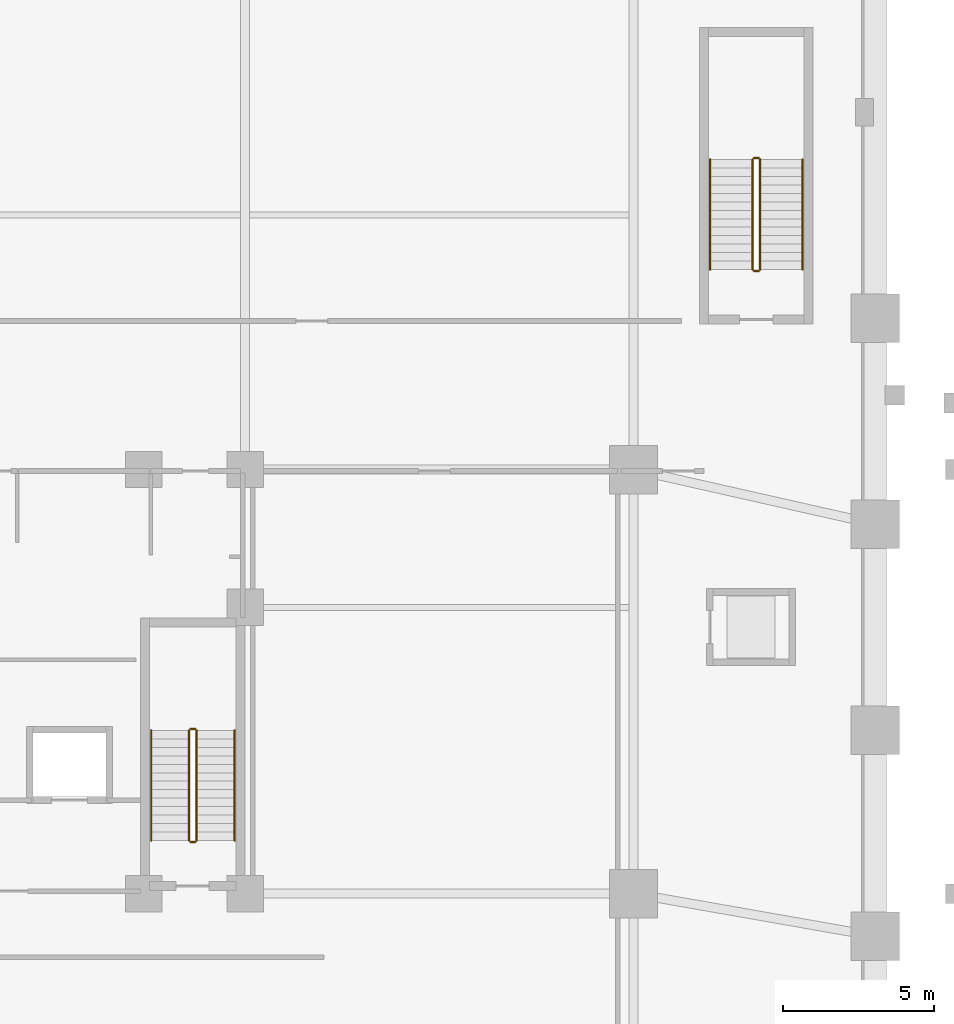
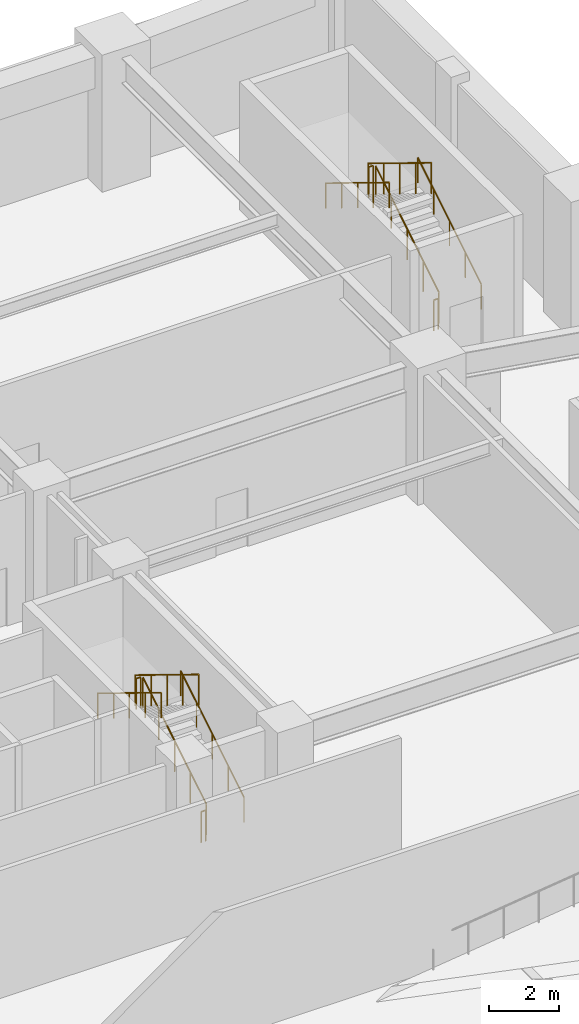
# One storey, part 7 of 8: 12 railings.
"""IFC4 building model written with IfcOpenShell, lengths in metres."""

import ifcopenshell
import ifcopenshell.guid

model = None  # the IFC model being written
_history = None  # IfcOwnerHistory: only IFC2X3 demands one
_inside = {}  # id of a spatial element -> (the spatial element, [elements in it])
_under = {}  # id of a project, library or spatial element -> (it, [spatial elements below it])
_declared = {}  # id of a project -> (the project, [libraries it declares])
_typed = {}  # id of a type object -> (the type object, [elements of that type])
_made_of = {}  # id of a material, layer set ... -> (it, [elements and type objects made of it])


def new_model(schema):
    """Start an empty IFC model of exactly this schema.

    Asked for "IFC4X3", IfcOpenShell would pick the latest addendum, in which some entities
    have other attributes; the version numbers below select the first issue.
    IFC2X3 requires an IfcOwnerHistory on every rooted entity: one is made here for all.
    """
    global model, _history
    if schema == "IFC4X3":
        model = ifcopenshell.file(schema_version=(4, 3, 0, 0))
    else:
        model = ifcopenshell.file(schema=schema)
    _inside.clear()
    _under.clear()
    _declared.clear()
    _typed.clear()
    _made_of.clear()
    _history = None
    if model.schema == "IFC2X3":
        org = make("IfcOrganization", Name="unknown")
        user = make(
            "IfcPersonAndOrganization",
            ThePerson=make("IfcPerson", FamilyName="unknown"),
            TheOrganization=org,
        )
        app = make(
            "IfcApplication",
            ApplicationDeveloper=org,
            Version="unknown",
            ApplicationFullName="unknown",
            ApplicationIdentifier="unknown",
        )
        _history = make(
            "IfcOwnerHistory",
            OwningUser=user,
            OwningApplication=app,
            ChangeAction="ADDED",
            CreationDate=0,
        )
    return model


def make(cls, **values):
    """One entity of the class cls with the attributes given. An attribute that is None is left unset."""
    return model.create_entity(
        cls, **{name: value for name, value in values.items() if value is not None}
    )


def rooted(cls, **values):
    """An entity with a GlobalId (a new one), such as an element, a storey or a relation."""
    return make(cls, GlobalId=ifcopenshell.guid.new(), OwnerHistory=_history, **values)


def si_unit(unit_type, name, prefix=None):
    """IfcSIUnit, for example si_unit("LENGTHUNIT", "METRE", prefix="MILLI")."""
    return make("IfcSIUnit", UnitType=unit_type, Prefix=prefix, Name=name)


def derived_unit(unit_type, elements):
    """IfcDerivedUnit: a product of units, each with its exponent."""
    return make(
        "IfcDerivedUnit",
        Elements=[
            make("IfcDerivedUnitElement", Unit=unit, Exponent=power)
            for unit, power in elements
        ],
        UnitType=unit_type,
    )


def assignment(units):
    """IfcUnitAssignment: the units of a project."""
    return None if units is None else make("IfcUnitAssignment", Units=units)


def point(xyz):
    """IfcCartesianPoint."""
    return None if xyz is None else make("IfcCartesianPoint", Coordinates=xyz)


def direction(xyz):
    """IfcDirection."""
    return None if xyz is None else make("IfcDirection", DirectionRatios=xyz)


def frame(location, z_axis=None, x_axis=None):
    """IfcAxis2Placement3D, a coordinate frame: its origin and axes. An axis left out is left unset."""
    return make(
        "IfcAxis2Placement3D",
        Location=point(location),
        Axis=direction(z_axis),
        RefDirection=direction(x_axis),
    )


def frame_2d(location, x_axis=None):
    """IfcAxis2Placement2D, a coordinate frame in the plane: its origin and x axis."""
    return make(
        "IfcAxis2Placement2D", Location=point(location), RefDirection=direction(x_axis)
    )


def origin():
    """The frame at (0, 0, 0) with its axes left unset."""
    return frame((0.0, 0.0, 0.0))


def origin_2d():
    """The frame at (0, 0) in the plane with its x axis left unset."""
    return frame_2d((0.0, 0.0))


def place(relative_to, where):
    """IfcLocalPlacement: puts the frame where relative to a parent placement (None: the world)."""
    return make(
        "IfcLocalPlacement", PlacementRelTo=relative_to, RelativePlacement=where
    )


def context(
    kind, dimensions, precision=None, world=None, true_north=None, identifier=None
):
    """IfcGeometricRepresentationContext, for example the 3D "Model" context."""
    return make(
        "IfcGeometricRepresentationContext",
        ContextIdentifier=identifier,
        ContextType=kind,
        CoordinateSpaceDimension=dimensions,
        Precision=precision,
        WorldCoordinateSystem=world,
        TrueNorth=true_north,
    )


def subcontext(parent, identifier, kind, view, scale=None):
    """IfcGeometricRepresentationSubContext, for example "Body" below "Model"."""
    return make(
        "IfcGeometricRepresentationSubContext",
        ContextIdentifier=identifier,
        ContextType=kind,
        ParentContext=parent,
        TargetScale=scale,
        TargetView=view,
    )


def project(units=None, contexts=None):
    """IfcProject with its units and contexts."""
    return rooted(
        "IfcProject",
        Name="project",
        RepresentationContexts=contexts,
        UnitsInContext=assignment(units),
    )


def spatial(cls, under=None, at=None, **own):
    """A site, building, storey or space (cls), placed at a placement, below another one or the project."""
    s = rooted(cls, ObjectPlacement=at, **own)
    if under is not None:
        _under.setdefault(under.id(), (under, []))[1].append(s)
    return s


def profile(cls, at=None, kind="AREA", **sizes):
    """A parametric profile (cls). Its sizes go by their IFC names, for example OverallWidth=200.0."""
    return make(cls, ProfileType=kind, Position=at, **sizes)


def circle(**sizes):
    """IfcCircleProfileDef."""
    return profile("IfcCircleProfileDef", **sizes)


def extrude(swept, where, along, depth):
    """IfcExtrudedAreaSolid: the profile swept, set in the frame where, extruded along a direction by depth."""
    return make(
        "IfcExtrudedAreaSolid",
        SweptArea=swept,
        Position=where,
        ExtrudedDirection=direction(along),
        Depth=depth,
    )


def shape(context_of_items, identifier, shape_type, items):
    """IfcShapeRepresentation: the items that make up one representation, for example the "Body"."""
    return make(
        "IfcShapeRepresentation",
        ContextOfItems=context_of_items,
        RepresentationIdentifier=identifier,
        RepresentationType=shape_type,
        Items=items,
    )


def material(Name=None, Category=None):
    """IfcMaterial."""
    return make("IfcMaterial", Name=Name, Category=Category)


def made_of(thing, what):
    """Note that an element or type object is made of a material, layer set ...; save() writes the relation."""
    if what is not None:
        _made_of.setdefault(what.id(), (what, []))[1].append(thing)
    return thing


def type_object(cls, material=None, **own):
    """A type object (cls), such as IfcWallType, which elements share."""
    return made_of(rooted(cls, **own), material)


def element(
    cls,
    number,
    at=None,
    inside=None,
    cuts=None,
    type_object=None,
    material=None,
    context=None,
    identifier="Body",
    shape_type=None,
    held_by="IfcProductDefinitionShape",
    body=None,
    shapes=None,
    **own,
):
    """One element of the class cls, such as IfcWall. Its Tag is "e" and its number.

    at: its placement. inside: the storey or other place that contains it. cuts: it is an
    opening in that element (IfcRelVoidsElement). A single representation is given by context,
    identifier, shape_type and body (its items); several are given by shapes. held_by: the class
    of the entity that holds the representations. save() writes the other relations.
    """
    e = rooted(cls, Tag="e%d" % number, ObjectPlacement=at, **own)
    if body is not None:
        shapes = [shape(context, identifier, shape_type, body)]
    if shapes is not None:
        e.Representation = make(held_by, Representations=shapes)
    if inside is not None:
        _inside.setdefault(inside.id(), (inside, []))[1].append(e)
    if cuts is not None:
        rooted(
            "IfcRelVoidsElement", RelatingBuildingElement=cuts, RelatedOpeningElement=e
        )
    if type_object is not None:
        _typed.setdefault(type_object.id(), (type_object, []))[1].append(e)
    return made_of(e, material)


def aggregate(whole, parts):
    """IfcRelAggregates: a whole, such as a stair, and the parts it consists of."""
    return rooted("IfcRelAggregates", RelatingObject=whole, RelatedObjects=parts)


def save(model, path):
    """Write the relations noted so far, then the file.

    IfcRelAggregates (storeys below a building ...), IfcRelContainedInSpatialStructure (elements
    in a storey), IfcRelDefinesByType, IfcRelAssociatesMaterial and IfcRelDeclares: one each for
    every whole, place, type object, material and project.
    """
    for whole, parts in _under.values():
        aggregate(whole, parts)
    for where, things in _inside.values():
        rooted(
            "IfcRelContainedInSpatialStructure",
            RelatedElements=things,
            RelatingStructure=where,
        )
    for kind, things in _typed.values():
        rooted("IfcRelDefinesByType", RelatedObjects=things, RelatingType=kind)
    for what, things in _made_of.values():
        rooted("IfcRelAssociatesMaterial", RelatedObjects=things, RelatingMaterial=what)
    for by, libraries in _declared.values():
        rooted("IfcRelDeclares", RelatingContext=by, RelatedDefinitions=libraries)
    model.write(path)


model = new_model("IFC4")

# Units and contexts
model_context = context("Model", 3, precision=1e-05, world=origin(), true_north=direction((0.0, 1.0)))
body_context = subcontext(model_context, "Body", "Model", "MODEL_VIEW")
ifc_project = project(units=[si_unit("LENGTHUNIT", "METRE"), si_unit("AREAUNIT", "SQUARE_METRE"), si_unit("VOLUMEUNIT", "CUBIC_METRE"), si_unit("PLANEANGLEUNIT", "RADIAN"), si_unit("MASSUNIT", "GRAM", prefix="KILO"), derived_unit("THERMALTRANSMITTANCEUNIT", [(si_unit("MASSUNIT", "GRAM", prefix="KILO"), 1), (si_unit("TIMEUNIT", "SECOND"), -3), (si_unit("THERMODYNAMICTEMPERATUREUNIT", "KELVIN"), -1)])], contexts=[model_context])

# Site, building, storey
site_placement = place(None, origin())
site = spatial("IfcSite", under=ifc_project, at=site_placement, CompositionType="ELEMENT")
building_placement = place(site_placement, origin())
building = spatial("IfcBuilding", under=site, at=building_placement, Name="Korrvale Station Residences", CompositionType="ELEMENT")
storey_placement = place(building_placement, frame((0.0, 0.0, -4.800048828125)))
storey = spatial("IfcBuildingStorey", under=building, at=storey_placement, Name="B01", CompositionType="ELEMENT", Elevation=-4.800048828125)

# Railings
ifc_material_1 = material(Name="Brushed stainless-steel continuous stair handrail", Category="steel")
railing_type_1 = type_object("IfcRailingType", Name="RLG-SHND-900", PredefinedType="HANDRAIL", material=ifc_material_1)
railing_1_placement = place(storey_placement, frame((32.85009765625, 16.75, 0.17138671875)))
element("IfcRailing", 1, at=railing_1_placement, inside=storey, type_object=railing_type_1, Name="B01 ST-2 stair handrail 1", PredefinedType="HANDRAIL", context=body_context, shape_type="SweptSolid", body=[
    extrude(circle(Radius=0.02392578125, at=origin_2d()), frame((0.0, 0.0, 0.8759765625), z_axis=(0.0, 0.852824790078, 0.522197163366), x_axis=(-1.0, 0.0, 0.0)), (0.0, 0.0, 1.0), 4.26806640625),
    extrude(circle(Radius=0.02099609375, at=origin_2d()), origin(), (0.0, 0.0, 1.0), 0.851806640625),
    extrude(circle(Radius=0.02099609375, at=origin_2d()), frame((0.0, 0.909912109375, 0.55712890625)), (0.0, 0.0, 1.0), 0.851806640625),
    extrude(circle(Radius=0.02099609375, at=origin_2d()), frame((0.0, 1.81982421875, 1.1142578125)), (0.0, 0.0, 1.0), 0.851806640625),
    extrude(circle(Radius=0.02099609375, at=origin_2d()), frame((0.0, 2.72998046875, 1.671630859375)), (0.0, 0.0, 1.0), 0.851806640625),
    extrude(circle(Radius=0.02099609375, at=origin_2d()), frame((0.0, 3.639892578125, 2.228759765625)), (0.0, 0.0, 1.0), 0.851806640625),
])
railing_2_placement = place(storey_placement, frame((30.10009765625, 20.389892578125, 2.571533203125)))
element("IfcRailing", 2, at=railing_2_placement, inside=storey, type_object=railing_type_1, Name="B01 ST-2 stair handrail 2", PredefinedType="HANDRAIL", context=body_context, shape_type="SweptSolid", body=[
    extrude(circle(Radius=0.02392578125, at=origin_2d()), frame((0.0, 0.0, 0.8759765625), z_axis=(0.0, -0.852850264322, 0.5221555579), x_axis=(1.0, 0.0, 0.0)), (0.0, 0.0, 1.0), 4.267822265625),
    extrude(circle(Radius=0.02099609375, at=origin_2d()), origin(), (0.0, 0.0, 1.0), 0.851806640625),
    extrude(circle(Radius=0.02099609375, at=origin_2d()), frame((0.0, -0.909912109375, 0.55712890625)), (0.0, 0.0, 1.0), 0.851806640625),
    extrude(circle(Radius=0.02099609375, at=origin_2d()), frame((0.0, -1.81982421875, 1.1142578125)), (0.0, 0.0, 1.0), 0.851806640625),
    extrude(circle(Radius=0.02099609375, at=origin_2d()), frame((0.0, -2.72998046875, 1.67138671875)), (0.0, 0.0, 1.0), 0.851806640625),
    extrude(circle(Radius=0.02099609375, at=origin_2d()), frame((0.0, -3.639892578125, 2.228515625)), (0.0, 0.0, 1.0), 0.851806640625),
])
railing_3_placement = place(storey_placement, frame((51.60009765625, 35.60009765625, 0.17138671875)))
element("IfcRailing", 3, at=railing_3_placement, inside=storey, type_object=railing_type_1, Name="B01 ST-4 stair handrail 1", PredefinedType="HANDRAIL", context=body_context, shape_type="SweptSolid", body=[
    extrude(circle(Radius=0.02392578125, at=origin_2d()), frame((0.0, 0.0, 0.8759765625), z_axis=(0.0, 0.852824790078, 0.522197163366), x_axis=(-1.0, 0.0, 0.0)), (0.0, 0.0, 1.0), 4.26806640625),
    extrude(circle(Radius=0.02099609375, at=origin_2d()), origin(), (0.0, 0.0, 1.0), 0.851806640625),
    extrude(circle(Radius=0.02099609375, at=origin_2d()), frame((0.0, 0.909912109375, 0.55712890625)), (0.0, 0.0, 1.0), 0.851806640625),
    extrude(circle(Radius=0.02099609375, at=origin_2d()), frame((0.0, 1.81982421875, 1.1142578125)), (0.0, 0.0, 1.0), 0.851806640625),
    extrude(circle(Radius=0.02099609375, at=origin_2d()), frame((0.0, 2.72998046875, 1.671630859375)), (0.0, 0.0, 1.0), 0.851806640625),
    extrude(circle(Radius=0.02099609375, at=origin_2d()), frame((0.0, 3.639892578125, 2.228759765625)), (0.0, 0.0, 1.0), 0.851806640625),
])
railing_4_placement = place(storey_placement, frame((48.550048828125, 39.239990234375, 2.571533203125)))
element("IfcRailing", 4, at=railing_4_placement, inside=storey, type_object=railing_type_1, Name="B01 ST-4 stair handrail 2", PredefinedType="HANDRAIL", context=body_context, shape_type="SweptSolid", body=[
    extrude(circle(Radius=0.02392578125, at=origin_2d()), frame((0.0, 0.0, 0.8759765625), z_axis=(0.0, -0.852850264322, 0.5221555579), x_axis=(1.0, 0.0, 0.0)), (0.0, 0.0, 1.0), 4.267822265625),
    extrude(circle(Radius=0.02099609375, at=origin_2d()), origin(), (0.0, 0.0, 1.0), 0.851806640625),
    extrude(circle(Radius=0.02099609375, at=origin_2d()), frame((0.0, -0.909912109375, 0.55712890625)), (0.0, 0.0, 1.0), 0.851806640625),
    extrude(circle(Radius=0.02099609375, at=origin_2d()), frame((0.0, -1.81982421875, 1.1142578125)), (0.0, 0.0, 1.0), 0.851806640625),
    extrude(circle(Radius=0.02099609375, at=origin_2d()), frame((0.0, -2.72998046875, 1.67138671875)), (0.0, 0.0, 1.0), 0.851806640625),
    extrude(circle(Radius=0.02099609375, at=origin_2d()), frame((0.0, -3.639892578125, 2.228515625)), (0.0, 0.0, 1.0), 0.851806640625),
])
ifc_material_2 = material(Name="Galvanised painted tubular steel stair guard", Category="steel")
railing_type_2 = type_object("IfcRailingType", Name="RLG-STR-1100", PredefinedType="GUARDRAIL", material=ifc_material_2)
railing_5_placement = place(storey_placement, frame((31.60009765625, 16.75, 0.17138671875)))
element("IfcRailing", 5, at=railing_5_placement, inside=storey, type_object=railing_type_2, Name="B01 ST-2 stair guard 1", PredefinedType="GUARDRAIL", context=body_context, shape_type="SweptSolid", body=[
    extrude(circle(Radius=0.02392578125, at=origin_2d()), frame((0.0, 0.0, 1.076171875), z_axis=(0.0, 0.852824790078, 0.522197163366), x_axis=(-1.0, 0.0, 0.0)), (0.0, 0.0, 1.0), 4.26806640625),
    extrude(circle(Radius=0.02099609375, at=origin_2d()), origin(), (0.0, 0.0, 1.0), 1.052001953125),
    extrude(circle(Radius=0.02099609375, at=origin_2d()), frame((0.0, 0.909912109375, 0.55712890625)), (0.0, 0.0, 1.0), 1.052001953125),
    extrude(circle(Radius=0.02099609375, at=origin_2d()), frame((0.0, 1.81982421875, 1.1142578125)), (0.0, 0.0, 1.0), 1.052001953125),
    extrude(circle(Radius=0.02099609375, at=origin_2d()), frame((0.0, 2.72998046875, 1.671630859375)), (0.0, 0.0, 1.0), 1.052001953125),
    extrude(circle(Radius=0.02099609375, at=origin_2d()), frame((0.0, 3.639892578125, 2.228759765625)), (0.0, 0.0, 1.0), 1.052001953125),
])
railing_6_placement = place(storey_placement, frame((31.550048828125, 20.43994140625, 2.400146484375)))
element("IfcRailing", 6, at=railing_6_placement, inside=storey, type_object=railing_type_2, Name="B01 ST-2 stair guard 2", PredefinedType="GUARDRAIL", context=body_context, shape_type="SweptSolid", body=[
    extrude(circle(Radius=0.02392578125, at=origin_2d()), frame((0.0, 0.0, 1.076171875), z_axis=(-1.0, 0.0, 0.0), x_axis=(0.0, -1.0, 0.0)), (0.0, 0.0, 1.0), 0.150146484375),
    extrude(circle(Radius=0.02099609375, at=origin_2d()), origin(), (0.0, 0.0, 1.0), 1.052001953125),
    extrude(circle(Radius=0.02099609375, at=origin_2d()), frame((-0.150146484375, 0.0, 0.0)), (0.0, 0.0, 1.0), 1.052001953125),
])
railing_7_placement = place(storey_placement, frame((31.35009765625, 20.389892578125, 2.571533203125)))
element("IfcRailing", 7, at=railing_7_placement, inside=storey, type_object=railing_type_2, Name="B01 ST-2 stair guard 3", PredefinedType="GUARDRAIL", context=body_context, shape_type="SweptSolid", body=[
    extrude(circle(Radius=0.02392578125, at=origin_2d()), frame((0.0, 0.0, 1.076171875), z_axis=(0.0, -0.852850264322, 0.5221555579), x_axis=(1.0, 0.0, 0.0)), (0.0, 0.0, 1.0), 4.267822265625),
    extrude(circle(Radius=0.02099609375, at=origin_2d()), origin(), (0.0, 0.0, 1.0), 1.052001953125),
    extrude(circle(Radius=0.02099609375, at=origin_2d()), frame((0.0, -0.909912109375, 0.55712890625)), (0.0, 0.0, 1.0), 1.052001953125),
    extrude(circle(Radius=0.02099609375, at=origin_2d()), frame((0.0, -1.81982421875, 1.1142578125)), (0.0, 0.0, 1.0), 1.052001953125),
    extrude(circle(Radius=0.02099609375, at=origin_2d()), frame((0.0, -2.72998046875, 1.67138671875)), (0.0, 0.0, 1.0), 1.052001953125),
    extrude(circle(Radius=0.02099609375, at=origin_2d()), frame((0.0, -3.639892578125, 2.228515625)), (0.0, 0.0, 1.0), 1.052001953125),
])
railing_8_placement = place(storey_placement, frame((31.550048828125, 16.699951171875, 0.0)))
element("IfcRailing", 8, at=railing_8_placement, inside=storey, type_object=railing_type_2, Name="B01 ST-2 stair guard 4", PredefinedType="GUARDRAIL", context=body_context, shape_type="SweptSolid", body=[
    extrude(circle(Radius=0.02392578125, at=origin_2d()), frame((0.0, 0.0, 1.076171875), z_axis=(-1.0, 0.0, 0.0), x_axis=(0.0, -1.0, 0.0)), (0.0, 0.0, 1.0), 0.150146484375),
    extrude(circle(Radius=0.02099609375, at=origin_2d()), origin(), (0.0, 0.0, 1.0), 1.052001953125),
    extrude(circle(Radius=0.02099609375, at=origin_2d()), frame((-0.150146484375, 0.0, 0.0)), (0.0, 0.0, 1.0), 1.052001953125),
])
railing_9_placement = place(storey_placement, frame((50.199951171875, 35.60009765625, 0.17138671875)))
element("IfcRailing", 9, at=railing_9_placement, inside=storey, type_object=railing_type_2, Name="B01 ST-4 stair guard 1", PredefinedType="GUARDRAIL", context=body_context, shape_type="SweptSolid", body=[
    extrude(circle(Radius=0.02392578125, at=origin_2d()), frame((0.0, 0.0, 1.076171875), z_axis=(0.0, 0.852824790078, 0.522197163366), x_axis=(-1.0, 0.0, 0.0)), (0.0, 0.0, 1.0), 4.26806640625),
    extrude(circle(Radius=0.02099609375, at=origin_2d()), origin(), (0.0, 0.0, 1.0), 1.052001953125),
    extrude(circle(Radius=0.02099609375, at=origin_2d()), frame((0.0, 0.909912109375, 0.55712890625)), (0.0, 0.0, 1.0), 1.052001953125),
    extrude(circle(Radius=0.02099609375, at=origin_2d()), frame((0.0, 1.81982421875, 1.1142578125)), (0.0, 0.0, 1.0), 1.052001953125),
    extrude(circle(Radius=0.02099609375, at=origin_2d()), frame((0.0, 2.72998046875, 1.671630859375)), (0.0, 0.0, 1.0), 1.052001953125),
    extrude(circle(Radius=0.02099609375, at=origin_2d()), frame((0.0, 3.639892578125, 2.228759765625)), (0.0, 0.0, 1.0), 1.052001953125),
])
railing_10_placement = place(storey_placement, frame((50.14990234375, 39.2900390625, 2.400146484375)))
element("IfcRailing", 10, at=railing_10_placement, inside=storey, type_object=railing_type_2, Name="B01 ST-4 stair guard 2", PredefinedType="GUARDRAIL", context=body_context, shape_type="SweptSolid", body=[
    extrude(circle(Radius=0.02392578125, at=origin_2d()), frame((0.0, 0.0, 1.076171875), z_axis=(-1.0, 0.0, 0.0), x_axis=(0.0, -1.0, 0.0)), (0.0, 0.0, 1.0), 0.14990234375),
    extrude(circle(Radius=0.02099609375, at=origin_2d()), origin(), (0.0, 0.0, 1.0), 1.052001953125),
    extrude(circle(Radius=0.02099609375, at=origin_2d()), frame((-0.14990234375, 0.0, 0.0)), (0.0, 0.0, 1.0), 1.052001953125),
])
railing_11_placement = place(storey_placement, frame((49.949951171875, 39.239990234375, 2.571533203125)))
element("IfcRailing", 11, at=railing_11_placement, inside=storey, type_object=railing_type_2, Name="B01 ST-4 stair guard 3", PredefinedType="GUARDRAIL", context=body_context, shape_type="SweptSolid", body=[
    extrude(circle(Radius=0.02392578125, at=origin_2d()), frame((0.0, 0.0, 1.076171875), z_axis=(0.0, -0.852850264322, 0.5221555579), x_axis=(1.0, 0.0, 0.0)), (0.0, 0.0, 1.0), 4.267822265625),
    extrude(circle(Radius=0.02099609375, at=origin_2d()), origin(), (0.0, 0.0, 1.0), 1.052001953125),
    extrude(circle(Radius=0.02099609375, at=origin_2d()), frame((0.0, -0.909912109375, 0.55712890625)), (0.0, 0.0, 1.0), 1.052001953125),
    extrude(circle(Radius=0.02099609375, at=origin_2d()), frame((0.0, -1.81982421875, 1.1142578125)), (0.0, 0.0, 1.0), 1.052001953125),
    extrude(circle(Radius=0.02099609375, at=origin_2d()), frame((0.0, -2.72998046875, 1.67138671875)), (0.0, 0.0, 1.0), 1.052001953125),
    extrude(circle(Radius=0.02099609375, at=origin_2d()), frame((0.0, -3.639892578125, 2.228515625)), (0.0, 0.0, 1.0), 1.052001953125),
])
railing_12_placement = place(storey_placement, frame((50.14990234375, 35.550048828125, 0.0)))
element("IfcRailing", 12, at=railing_12_placement, inside=storey, type_object=railing_type_2, Name="B01 ST-4 stair guard 4", PredefinedType="GUARDRAIL", context=body_context, shape_type="SweptSolid", body=[
    extrude(circle(Radius=0.02392578125, at=origin_2d()), frame((0.0, 0.0, 1.076171875), z_axis=(-1.0, 0.0, 0.0), x_axis=(0.0, -1.0, 0.0)), (0.0, 0.0, 1.0), 0.14990234375),
    extrude(circle(Radius=0.02099609375, at=origin_2d()), origin(), (0.0, 0.0, 1.0), 1.052001953125),
    extrude(circle(Radius=0.02099609375, at=origin_2d()), frame((-0.14990234375, 0.0, 0.0)), (0.0, 0.0, 1.0), 1.052001953125),
])

save(model, "model.ifc")
